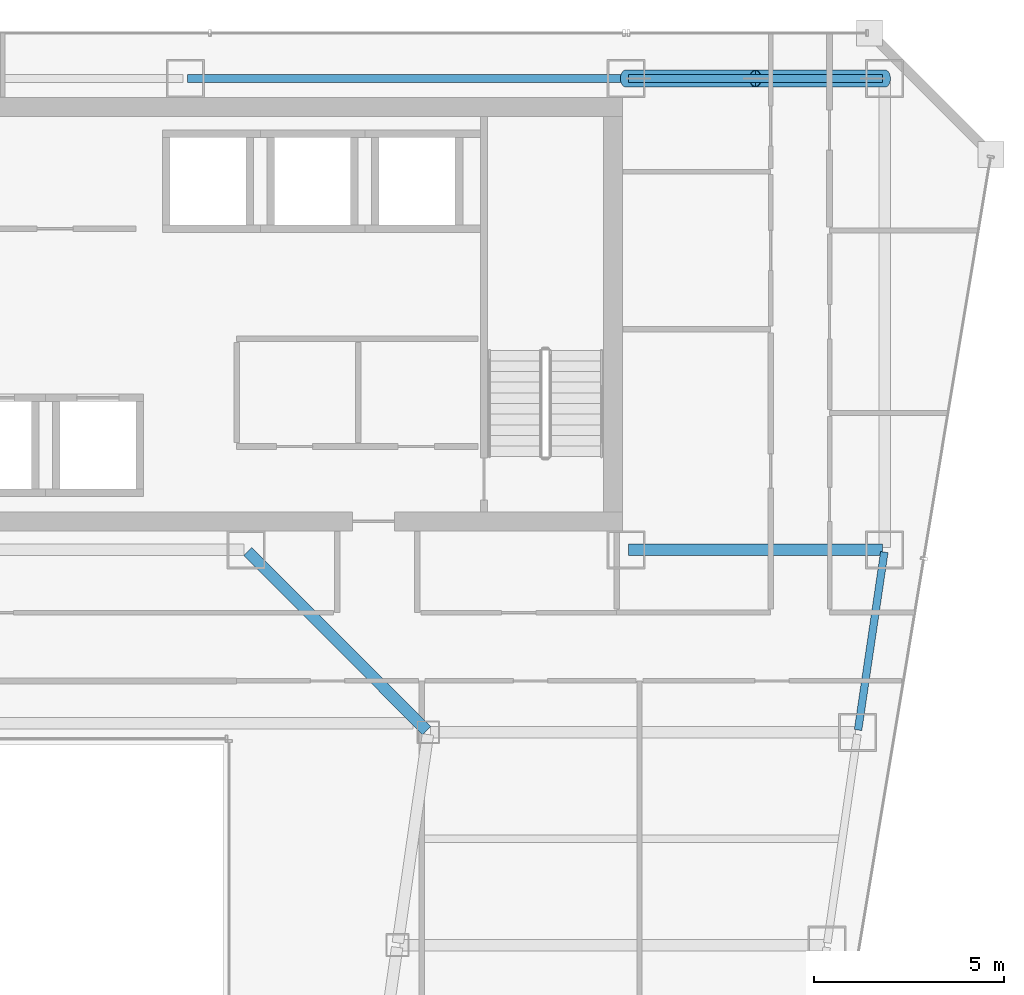
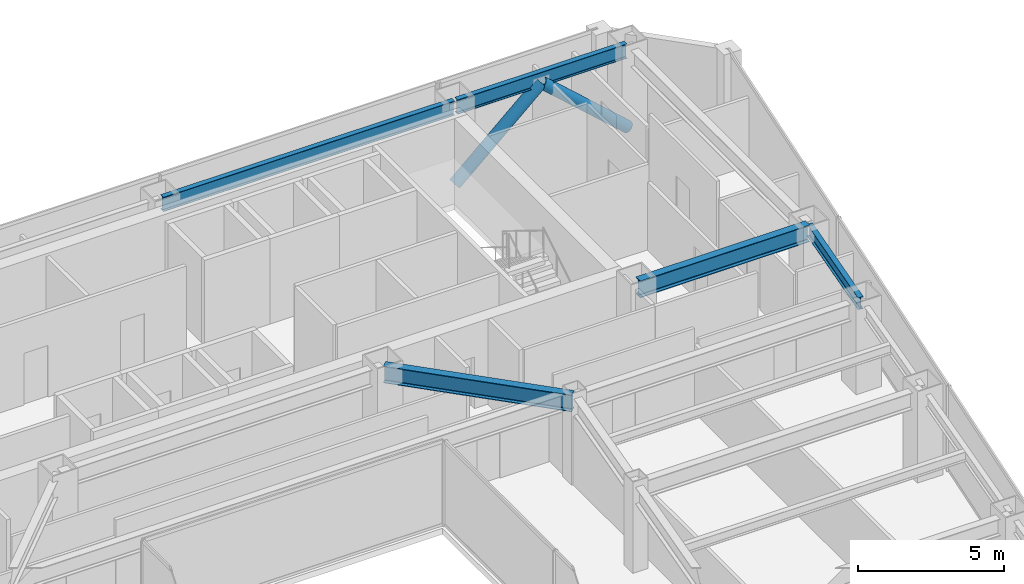
# One storey, part 26 of 38: 5 beams, 2 members.
"""IFC4 building model written with IfcOpenShell, lengths in metres."""

import ifcopenshell
import ifcopenshell.guid

model = None  # the IFC model being written
_history = None  # IfcOwnerHistory: only IFC2X3 demands one
_inside = {}  # id of a spatial element -> (the spatial element, [elements in it])
_under = {}  # id of a project, library or spatial element -> (it, [spatial elements below it])
_declared = {}  # id of a project -> (the project, [libraries it declares])
_typed = {}  # id of a type object -> (the type object, [elements of that type])
_made_of = {}  # id of a material, layer set ... -> (it, [elements and type objects made of it])


def new_model(schema):
    """Start an empty IFC model of exactly this schema.

    Asked for "IFC4X3", IfcOpenShell would pick the latest addendum, in which some entities
    have other attributes; the version numbers below select the first issue.
    IFC2X3 requires an IfcOwnerHistory on every rooted entity: one is made here for all.
    """
    global model, _history
    if schema == "IFC4X3":
        model = ifcopenshell.file(schema_version=(4, 3, 0, 0))
    else:
        model = ifcopenshell.file(schema=schema)
    _inside.clear()
    _under.clear()
    _declared.clear()
    _typed.clear()
    _made_of.clear()
    _history = None
    if model.schema == "IFC2X3":
        org = make("IfcOrganization", Name="unknown")
        user = make(
            "IfcPersonAndOrganization",
            ThePerson=make("IfcPerson", FamilyName="unknown"),
            TheOrganization=org,
        )
        app = make(
            "IfcApplication",
            ApplicationDeveloper=org,
            Version="unknown",
            ApplicationFullName="unknown",
            ApplicationIdentifier="unknown",
        )
        _history = make(
            "IfcOwnerHistory",
            OwningUser=user,
            OwningApplication=app,
            ChangeAction="ADDED",
            CreationDate=0,
        )
    return model


def make(cls, **values):
    """One entity of the class cls with the attributes given. An attribute that is None is left unset."""
    return model.create_entity(
        cls, **{name: value for name, value in values.items() if value is not None}
    )


def rooted(cls, **values):
    """An entity with a GlobalId (a new one), such as an element, a storey or a relation."""
    return make(cls, GlobalId=ifcopenshell.guid.new(), OwnerHistory=_history, **values)


def si_unit(unit_type, name, prefix=None):
    """IfcSIUnit, for example si_unit("LENGTHUNIT", "METRE", prefix="MILLI")."""
    return make("IfcSIUnit", UnitType=unit_type, Prefix=prefix, Name=name)


def assignment(units):
    """IfcUnitAssignment: the units of a project."""
    return None if units is None else make("IfcUnitAssignment", Units=units)


def point(xyz):
    """IfcCartesianPoint."""
    return None if xyz is None else make("IfcCartesianPoint", Coordinates=xyz)


def direction(xyz):
    """IfcDirection."""
    return None if xyz is None else make("IfcDirection", DirectionRatios=xyz)


def frame(location, z_axis=None, x_axis=None):
    """IfcAxis2Placement3D, a coordinate frame: its origin and axes. An axis left out is left unset."""
    return make(
        "IfcAxis2Placement3D",
        Location=point(location),
        Axis=direction(z_axis),
        RefDirection=direction(x_axis),
    )


def frame_2d(location, x_axis=None):
    """IfcAxis2Placement2D, a coordinate frame in the plane: its origin and x axis."""
    return make(
        "IfcAxis2Placement2D", Location=point(location), RefDirection=direction(x_axis)
    )


def origin():
    """The frame at (0, 0, 0) with its axes left unset."""
    return frame((0.0, 0.0, 0.0))


def origin_2d():
    """The frame at (0, 0) in the plane with its x axis left unset."""
    return frame_2d((0.0, 0.0))


def place(relative_to, where):
    """IfcLocalPlacement: puts the frame where relative to a parent placement (None: the world)."""
    return make(
        "IfcLocalPlacement", PlacementRelTo=relative_to, RelativePlacement=where
    )


def context(
    kind, dimensions, precision=None, world=None, true_north=None, identifier=None
):
    """IfcGeometricRepresentationContext, for example the 3D "Model" context."""
    return make(
        "IfcGeometricRepresentationContext",
        ContextIdentifier=identifier,
        ContextType=kind,
        CoordinateSpaceDimension=dimensions,
        Precision=precision,
        WorldCoordinateSystem=world,
        TrueNorth=true_north,
    )


def subcontext(parent, identifier, kind, view, scale=None):
    """IfcGeometricRepresentationSubContext, for example "Body" below "Model"."""
    return make(
        "IfcGeometricRepresentationSubContext",
        ContextIdentifier=identifier,
        ContextType=kind,
        ParentContext=parent,
        TargetScale=scale,
        TargetView=view,
    )


def project(units=None, contexts=None):
    """IfcProject with its units and contexts."""
    return rooted(
        "IfcProject",
        Name="project",
        RepresentationContexts=contexts,
        UnitsInContext=assignment(units),
    )


def spatial(cls, under=None, at=None, **own):
    """A site, building, storey or space (cls), placed at a placement, below another one or the project."""
    s = rooted(cls, ObjectPlacement=at, **own)
    if under is not None:
        _under.setdefault(under.id(), (under, []))[1].append(s)
    return s


def profile(cls, at=None, kind="AREA", **sizes):
    """A parametric profile (cls). Its sizes go by their IFC names, for example OverallWidth=200.0."""
    return make(cls, ProfileType=kind, Position=at, **sizes)


def hollow_circle(**sizes):
    """IfcCircleHollowProfileDef."""
    return profile("IfcCircleHollowProfileDef", **sizes)


def i_section(**sizes):
    """IfcIShapeProfileDef."""
    return profile("IfcIShapeProfileDef", **sizes)


def extrude(swept, where, along, depth):
    """IfcExtrudedAreaSolid: the profile swept, set in the frame where, extruded along a direction by depth."""
    return make(
        "IfcExtrudedAreaSolid",
        SweptArea=swept,
        Position=where,
        ExtrudedDirection=direction(along),
        Depth=depth,
    )


def shape(context_of_items, identifier, shape_type, items):
    """IfcShapeRepresentation: the items that make up one representation, for example the "Body"."""
    return make(
        "IfcShapeRepresentation",
        ContextOfItems=context_of_items,
        RepresentationIdentifier=identifier,
        RepresentationType=shape_type,
        Items=items,
    )


def material(Name=None, Category=None):
    """IfcMaterial."""
    return make("IfcMaterial", Name=Name, Category=Category)


def material_profile(
    of_material, cross_section, Name=None, Category=None, Priority=None
):
    """IfcMaterialProfile: a cross section and its material."""
    return make(
        "IfcMaterialProfile",
        Name=Name,
        Material=of_material,
        Profile=cross_section,
        Priority=Priority,
        Category=Category,
    )


def profile_set(profiles, Name=None, composite=None):
    """IfcMaterialProfileSet."""
    return make(
        "IfcMaterialProfileSet",
        Name=Name,
        MaterialProfiles=profiles,
        CompositeProfile=composite,
    )


def made_of(thing, what):
    """Note that an element or type object is made of a material, layer set ...; save() writes the relation."""
    if what is not None:
        _made_of.setdefault(what.id(), (what, []))[1].append(thing)
    return thing


def type_object(cls, material=None, **own):
    """A type object (cls), such as IfcWallType, which elements share."""
    return made_of(rooted(cls, **own), material)


def element(
    cls,
    number,
    at=None,
    inside=None,
    cuts=None,
    type_object=None,
    material=None,
    context=None,
    identifier="Body",
    shape_type=None,
    held_by="IfcProductDefinitionShape",
    body=None,
    shapes=None,
    **own,
):
    """One element of the class cls, such as IfcWall. Its Tag is "e" and its number.

    at: its placement. inside: the storey or other place that contains it. cuts: it is an
    opening in that element (IfcRelVoidsElement). A single representation is given by context,
    identifier, shape_type and body (its items); several are given by shapes. held_by: the class
    of the entity that holds the representations. save() writes the other relations.
    """
    e = rooted(cls, Tag="e%d" % number, ObjectPlacement=at, **own)
    if body is not None:
        shapes = [shape(context, identifier, shape_type, body)]
    if shapes is not None:
        e.Representation = make(held_by, Representations=shapes)
    if inside is not None:
        _inside.setdefault(inside.id(), (inside, []))[1].append(e)
    if cuts is not None:
        rooted(
            "IfcRelVoidsElement", RelatingBuildingElement=cuts, RelatedOpeningElement=e
        )
    if type_object is not None:
        _typed.setdefault(type_object.id(), (type_object, []))[1].append(e)
    return made_of(e, material)


def aggregate(whole, parts):
    """IfcRelAggregates: a whole, such as a stair, and the parts it consists of."""
    return rooted("IfcRelAggregates", RelatingObject=whole, RelatedObjects=parts)


def save(model, path):
    """Write the relations noted so far, then the file.

    IfcRelAggregates (storeys below a building ...), IfcRelContainedInSpatialStructure (elements
    in a storey), IfcRelDefinesByType, IfcRelAssociatesMaterial and IfcRelDeclares: one each for
    every whole, place, type object, material and project.
    """
    for whole, parts in _under.values():
        aggregate(whole, parts)
    for where, things in _inside.values():
        rooted(
            "IfcRelContainedInSpatialStructure",
            RelatedElements=things,
            RelatingStructure=where,
        )
    for kind, things in _typed.values():
        rooted("IfcRelDefinesByType", RelatedObjects=things, RelatingType=kind)
    for what, things in _made_of.values():
        rooted("IfcRelAssociatesMaterial", RelatedObjects=things, RelatingMaterial=what)
    for by, libraries in _declared.values():
        rooted("IfcRelDeclares", RelatingContext=by, RelatedDefinitions=libraries)
    model.write(path)


model = new_model("IFC4")

# Units and contexts
model_context = context("Model", 3, precision=1e-05, world=origin(), true_north=direction((0.0, 1.0)))
body_context = subcontext(model_context, "Body", "Model", "MODEL_VIEW")
ifc_project = project(units=[si_unit("LENGTHUNIT", "METRE"), si_unit("AREAUNIT", "SQUARE_METRE"), si_unit("VOLUMEUNIT", "CUBIC_METRE"), si_unit("PLANEANGLEUNIT", "RADIAN"), si_unit("MASSUNIT", "GRAM", prefix="KILO")], contexts=[model_context])

# Site, building, storey
site_placement = place(None, origin())
site = spatial("IfcSite", under=ifc_project, at=site_placement, CompositionType="ELEMENT")
building_placement = place(site_placement, origin())
building = spatial("IfcBuilding", under=site, at=building_placement, Name="Saevonmaru Cultural Tower", CompositionType="ELEMENT")
storey_placement = place(building_placement, frame((0.0, 0.0, 133.39990234375)))
storey = spatial("IfcBuildingStorey", under=building, at=storey_placement, Name="L28", CompositionType="ELEMENT", Elevation=133.39990234375)

# Beams
ifc_material_1 = material(Name="Steel SM355", Category="steel")
ifc_material_profile_1 = material_profile(ifc_material_1, i_section(OverallWidth=0.300048828125, OverallDepth=0.699951171875, WebThickness=0.012939453125, FlangeThickness=0.02392578125, FilletRadius=0.02587890625, at=origin_2d()), Name="H-700x300x13x24")
ifc_profile_set_1 = profile_set([ifc_material_profile_1], Name="Steel SM355")
beam_type_1 = type_object("IfcBeamType", Name="BM-G-H700", PredefinedType="BEAM", material=ifc_profile_set_1)
beam_1_placement = place(storey_placement, frame((46.4599609375, 42.39990234375, 3.2001953125), z_axis=(1.0, 0.0, 0.0), x_axis=(0.0, 1.0, 0.0)))
element("IfcBeam", 1, at=beam_1_placement, inside=storey, type_object=beam_type_1, Name="L28 Core South Girder 5", PredefinedType="BEAM", context=body_context, shape_type="SweptSolid", body=[
    extrude(i_section(OverallWidth=0.300048828125, OverallDepth=0.699951171875, WebThickness=0.012939453125, FlangeThickness=0.02392578125, FilletRadius=0.02587890625, at=origin_2d()), origin(), (0.0, 0.0, 1.0), 6.679931640625),
])
beam_2_placement = place(storey_placement, frame((41.149658203125, 37.642578125, 3.2001953125), z_axis=(-0.706538566564, 0.707674539572, 0.0), x_axis=(-0.707674539572, -0.706538566564, 0.0)))
element("IfcBeam", 2, at=beam_2_placement, inside=storey, type_object=beam_type_1, Name="L28 East Atrium Girder 5", PredefinedType="BEAM", context=body_context, shape_type="SweptSolid", body=[
    extrude(i_section(OverallWidth=0.300048828125, OverallDepth=0.699951171875, WebThickness=0.012939453125, FlangeThickness=0.02392578125, FilletRadius=0.02587890625, at=origin_2d()), origin(), (0.0, 0.0, 1.0), 6.662353515625),
])
ifc_material_profile_2 = material_profile(ifc_material_1, i_section(OverallWidth=0.199951171875, OverallDepth=0.5, WebThickness=0.010009765625, FlangeThickness=0.01611328125, FilletRadius=0.02001953125, at=origin_2d()), Name="H-500x200x10x16")
ifc_profile_set_2 = profile_set([ifc_material_profile_2], Name="Steel SM355")
beam_type_2 = type_object("IfcBeamType", Name="BM-SP-H500", PredefinedType="SPANDREL", material=ifc_profile_set_2)
beam_3_placement = place(storey_placement, frame((52.500732421875, 37.659423828125, 3.300048828125), z_axis=(0.145912860028, 0.989297446312, 0.0), x_axis=(-0.989297446312, 0.145912860028, 0.0)))
element("IfcBeam", 3, at=beam_3_placement, inside=storey, type_object=beam_type_2, Name="L28 East Splayed Spandrel 5", PredefinedType="SPANDREL", context=body_context, shape_type="SweptSolid", body=[
    extrude(i_section(OverallWidth=0.199951171875, OverallDepth=0.5, WebThickness=0.010009765625, FlangeThickness=0.01611328125, FilletRadius=0.02001953125, at=origin_2d()), origin(), (0.0, 0.0, 1.0), 4.731689453125),
])
ifc_material_profile_3 = material_profile(ifc_material_1, i_section(OverallWidth=0.199951171875, OverallDepth=0.60009765625, WebThickness=0.010986328125, FlangeThickness=0.01708984375, FilletRadius=0.02197265625, at=origin_2d()), Name="H-600x200x11x17")
ifc_profile_set_3 = profile_set([ifc_material_profile_3], Name="Steel SM355")
beam_type_3 = type_object("IfcBeamType", Name="BM-SP-H600", PredefinedType="SPANDREL", material=ifc_profile_set_3)
beam_4_placement = place(storey_placement, frame((34.860107421875, 54.800048828125, 3.25), z_axis=(1.0, 0.0, 0.0), x_axis=(0.0, 1.0, 0.0)))
element("IfcBeam", 4, at=beam_4_placement, inside=storey, type_object=beam_type_3, Name="L28 North Spine Girder 4", PredefinedType="SPANDREL", context=body_context, shape_type="SweptSolid", body=[
    extrude(i_section(OverallWidth=0.199951171875, OverallDepth=0.60009765625, WebThickness=0.010986328125, FlangeThickness=0.01708984375, FilletRadius=0.02197265625, at=origin_2d()), origin(), (0.0, 0.0, 1.0), 11.47998046875),
])
beam_5_placement = place(storey_placement, frame((46.4599609375, 54.800048828125, 3.25), z_axis=(1.0, 0.0, 0.0), x_axis=(0.0, 1.0, 0.0)))
element("IfcBeam", 5, at=beam_5_placement, inside=storey, type_object=beam_type_3, Name="L28 North Spine Girder 5", PredefinedType="SPANDREL", context=body_context, shape_type="SweptSolid", body=[
    extrude(i_section(OverallWidth=0.199951171875, OverallDepth=0.60009765625, WebThickness=0.010986328125, FlangeThickness=0.01708984375, FilletRadius=0.02197265625, at=origin_2d()), origin(), (0.0, 0.0, 1.0), 6.679931640625),
])

# Members
ifc_material_2 = material(Name="Steel SM420", Category="steel")
ifc_material_profile_4 = material_profile(ifc_material_2, hollow_circle(Radius=0.228515625, WallThickness=0.02001953125, at=origin_2d()), Name="CHS-457.2x20")
ifc_profile_set_4 = profile_set([ifc_material_profile_4], Name="Steel SM420")
member_type = type_object("IfcMemberType", Name="MB-PBR-CHS457", PredefinedType="BRACE", material=ifc_profile_set_4)
for number, where, z_axis, x_axis, name in (
    (6, (46.39990234375, 54.800048828125, 0.02001953125), (0.744390779303, 0.0, 0.66774423823), (0.0, 1.0, 0.0), "L28 Perimeter Braced-Tube Diagonal EN1"),
    (7, (53.199951171875, 54.800048828125, 0.02001953125), (-0.744366945704, 0.0, 0.667770806597), (0.0, -1.0, 0.0), "L28 Perimeter Braced-Tube Diagonal EN2"),
):
    element("IfcMember", number, at=place(storey_placement, frame(where, z_axis=z_axis, x_axis=x_axis)), inside=storey, type_object=member_type, Name=name, PredefinedType="BRACE", context=body_context, shape_type="SweptSolid", body=[
        extrude(hollow_circle(Radius=0.228515625, WallThickness=0.02001953125, at=origin_2d()), origin(), (0.0, 0.0, 1.0), 4.567626953125),
    ])

save(model, "model.ifc")
